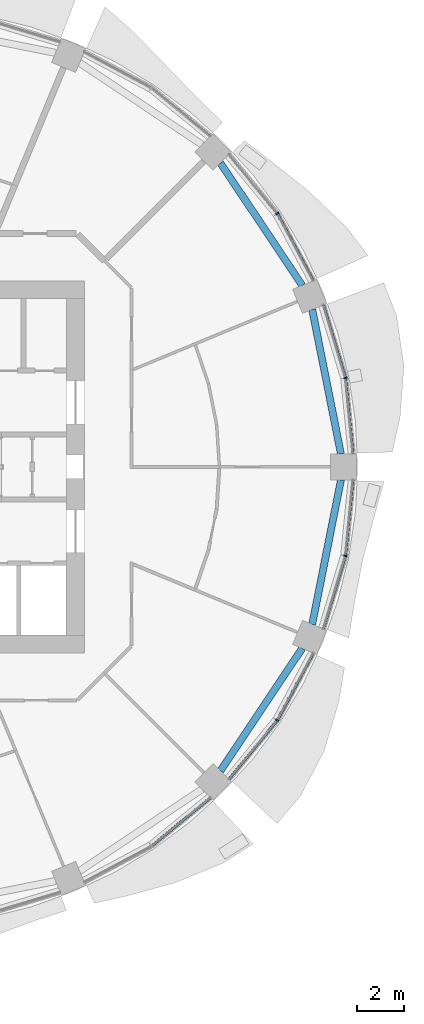
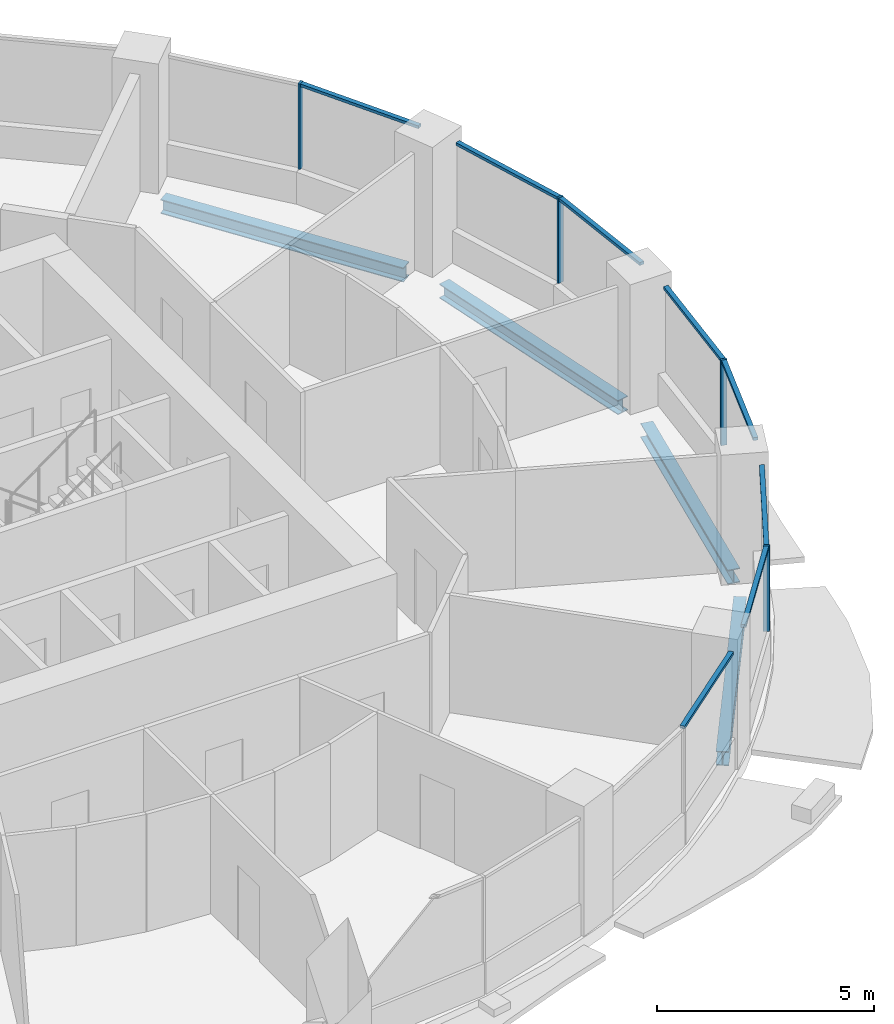
# One storey, part 5 of 15: 12 members, 4 beams, 5 elements without a shape of their own.
"""IFC4 building model written with IfcOpenShell, lengths in metres."""

from ifc_helpers import new_model, si_unit, direction, frame, origin, origin_2d, place, context, subcontext, project, spatial, rectangle, i_section, extrude, material, material_profile, profile_set, type_object, element, aggregate, save


model = new_model("IFC4")

# Units and contexts
model_context = context("Model", 3, precision=1e-05, world=origin(), true_north=direction((0.0, 1.0)))
body_context = subcontext(model_context, "Body", "Model", "MODEL_VIEW")
ifc_project = project(units=[si_unit("LENGTHUNIT", "METRE"), si_unit("AREAUNIT", "SQUARE_METRE"), si_unit("VOLUMEUNIT", "CUBIC_METRE"), si_unit("PLANEANGLEUNIT", "RADIAN"), si_unit("MASSUNIT", "GRAM", prefix="KILO")], contexts=[model_context])

# Site, building, storey
site_placement = place(None, origin())
site = spatial("IfcSite", under=ifc_project, at=site_placement, CompositionType="ELEMENT")
building_placement = place(site_placement, origin())
building = spatial("IfcBuilding", under=site, at=building_placement, Name="Polderwave Tower", CompositionType="ELEMENT")
storey_placement = place(building_placement, frame((0.0, 0.0, 80.050048828125)))
storey = spatial("IfcBuildingStorey", under=building, at=storey_placement, Name="L20", CompositionType="ELEMENT", Elevation=80.050048828125)

# Curtain wall, member
ifc_material_1 = material(Name="Aluminium 6063-T6 and glass", Category="aluminium")
curtain_wall_type = type_object("IfcCurtainWallType", Name="Growing floor ribbon glazing wall", PredefinedType="NOTDEFINED", material=ifc_material_1)
curtain_wall_1_placement = place(storey_placement, origin())
curtain_wall_1 = element("IfcCurtainWall", 1, at=curtain_wall_1_placement, inside=storey, type_object=curtain_wall_type, Name="CW2 L20 00", PredefinedType="NOTDEFINED")
ifc_material_2 = material(Name="Aluminium 6063-T6", Category="aluminium")
ifc_material_profile_1 = material_profile(ifc_material_2, rectangle(XDim=0.14990234375, YDim=0.06005859375, at=origin_2d()), Name="AL 60x150")
ifc_profile_set_1 = profile_set([ifc_material_profile_1], Name="Aluminium 6063-T6")
member_type_1 = type_object("IfcMemberType", Name="Growing floor ribbon glazing mullion 60x150", PredefinedType="MULLION", material=ifc_profile_set_1)
member_1_placement = place(storey_placement, frame((18.9189453125, 3.762939453125, 0.89990234375), z_axis=(0.0, 0.0, 1.0), x_axis=(-0.980778810424, -0.19512284598, 0.0)))
member_1 = element("IfcMember", 2, at=member_1_placement, type_object=member_type_1, Name="CW2 mullion 1", PredefinedType="MULLION", context=body_context, shape_type="SweptSolid", body=[
    extrude(rectangle(XDim=0.14990234375, YDim=0.06005859375, at=origin_2d()), origin(), (0.0, 0.0, 1.0), 2.400146484375),
])

curtain_wall_2_placement = place(storey_placement, origin())
curtain_wall_2 = element("IfcCurtainWall", 3, at=curtain_wall_2_placement, inside=storey, type_object=curtain_wall_type, Name="CW2 L20 01", PredefinedType="NOTDEFINED")
member_2_placement = place(storey_placement, frame((16.0390625, 10.717041015625, 0.89990234375), z_axis=(0.0, 0.0, 1.0), x_axis=(-0.831519061311, -0.555496220219, 0.0)))
member_2 = element("IfcMember", 4, at=member_2_placement, type_object=member_type_1, Name="CW2 mullion 1", PredefinedType="MULLION", context=body_context, shape_type="SweptSolid", body=[
    extrude(rectangle(XDim=0.14990234375, YDim=0.06005859375, at=origin_2d()), origin(), (0.0, 0.0, 1.0), 2.400146484375),
])

curtain_wall_3_placement = place(storey_placement, origin())
curtain_wall_3 = element("IfcCurtainWall", 5, at=curtain_wall_3_placement, inside=storey, type_object=curtain_wall_type, Name="CW2 L20 14", PredefinedType="NOTDEFINED")
member_3_placement = place(storey_placement, frame((16.0390625, -10.717041015625, 0.89990234375), z_axis=(0.0, 0.0, 1.0), x_axis=(-0.831519061311, 0.555496220219, 0.0)))
member_3 = element("IfcMember", 6, at=member_3_placement, type_object=member_type_1, Name="CW2 mullion 1", PredefinedType="MULLION", context=body_context, shape_type="SweptSolid", body=[
    extrude(rectangle(XDim=0.14990234375, YDim=0.06005859375, at=origin_2d()), origin(), (0.0, 0.0, 1.0), 2.400146484375),
])

curtain_wall_4_placement = place(storey_placement, origin())
curtain_wall_4 = element("IfcCurtainWall", 7, at=curtain_wall_4_placement, inside=storey, type_object=curtain_wall_type, Name="CW2 L20 15", PredefinedType="NOTDEFINED")
member_4_placement = place(storey_placement, frame((18.9189453125, -3.762939453125, 0.89990234375), z_axis=(0.0, 0.0, 1.0), x_axis=(-0.980778810424, 0.19512284598, 0.0)))
member_4 = element("IfcMember", 8, at=member_4_placement, type_object=member_type_1, Name="CW2 mullion 1", PredefinedType="MULLION", context=body_context, shape_type="SweptSolid", body=[
    extrude(rectangle(XDim=0.14990234375, YDim=0.06005859375, at=origin_2d()), origin(), (0.0, 0.0, 1.0), 2.400146484375),
])

# Member
ifc_material_profile_2 = material_profile(ifc_material_2, rectangle(XDim=0.1201171875, YDim=0.080078125, at=origin_2d()), Name="AL 80x120")
ifc_profile_set_2 = profile_set([ifc_material_profile_2], Name="Aluminium 6063-T6")
member_type_2 = type_object("IfcMemberType", Name="Growing floor ribbon glazing transom 80x120", PredefinedType="USERDEFINED", material=ifc_profile_set_2)
member_5_placement = place(storey_placement, frame((19.236083984375, 0.550048828125, 3.260009765625), z_axis=(-0.098234025198, 0.995163341514, 0.0), x_axis=(-0.995163341514, -0.098234025198, 0.0)))
member_5 = element("IfcMember", 9, at=member_5_placement, type_object=member_type_2, Name="CW2 transom 1", ObjectType="TRANSOM", PredefinedType="USERDEFINED", context=body_context, shape_type="SweptSolid", body=[
    extrude(rectangle(XDim=0.1201171875, YDim=0.080078125, at=origin_2d()), origin(), (0.0, 0.0, 1.0), 3.198486328125),
])

member_6_placement = place(storey_placement, frame((18.910400390625, 3.791748046875, 3.260009765625), z_axis=(-0.290238267171, 0.956954412848, 0.0), x_axis=(-0.956954412848, -0.290238267171, 0.0)))
member_6 = element("IfcMember", 10, at=member_6_placement, type_object=member_type_2, Name="CW2 transom 2", ObjectType="TRANSOM", PredefinedType="USERDEFINED", context=body_context, shape_type="SweptSolid", body=[
    extrude(rectangle(XDim=0.1201171875, YDim=0.080078125, at=origin_2d()), origin(), (0.0, 0.0, 1.0), 3.198974609375),
])

aggregate(curtain_wall_1, [member_1, member_5, member_6])

member_7_placement = place(storey_placement, frame((17.56103515625, 7.868896484375, 3.260009765625), z_axis=(-0.471376247819, 0.881932215645, 0.0), x_axis=(-0.881932215645, -0.471376247819, 0.0)))
member_7 = element("IfcMember", 11, at=member_7_placement, type_object=member_type_2, Name="CW2 transom 1", ObjectType="TRANSOM", PredefinedType="USERDEFINED", context=body_context, shape_type="SweptSolid", body=[
    extrude(rectangle(XDim=0.1201171875, YDim=0.080078125, at=origin_2d()), origin(), (0.0, 0.0, 1.0), 3.19921875),
])

aggregate(curtain_wall_2, [member_2, member_7])

# Curtain wall, member
curtain_wall_5_placement = place(storey_placement, origin())
curtain_wall_5 = element("IfcCurtainWall", 12, at=curtain_wall_5_placement, inside=storey, type_object=curtain_wall_type, Name="CW2 L20 13", PredefinedType="NOTDEFINED")
member_8_placement = place(storey_placement, frame((10.740234375, -16.02001953125, 3.260009765625), z_axis=(0.773041698987, 0.634355209348, 0.0), x_axis=(-0.634355209348, 0.773041698987, 0.0)))
member_8 = element("IfcMember", 13, at=member_8_placement, type_object=member_type_2, Name="CW2 transom 2", ObjectType="TRANSOM", PredefinedType="USERDEFINED", context=body_context, shape_type="SweptSolid", body=[
    extrude(rectangle(XDim=0.1201171875, YDim=0.080078125, at=origin_2d()), origin(), (0.0, 0.0, 1.0), 3.198486328125),
])
aggregate(curtain_wall_5, [member_8])

# Member
member_9_placement = place(storey_placement, frame((13.990966796875, -13.212890625, 3.260009765625), z_axis=(0.634355209348, 0.773041698987, 0.0), x_axis=(-0.773041698987, 0.634355209348, 0.0)))
member_9 = element("IfcMember", 14, at=member_9_placement, type_object=member_type_2, Name="CW2 transom 1", ObjectType="TRANSOM", PredefinedType="USERDEFINED", context=body_context, shape_type="SweptSolid", body=[
    extrude(rectangle(XDim=0.1201171875, YDim=0.080078125, at=origin_2d()), origin(), (0.0, 0.0, 1.0), 3.198486328125),
])

member_10_placement = place(storey_placement, frame((16.052978515625, -10.6904296875, 3.260009765625), z_axis=(0.471376247819, 0.881932215645, 0.0), x_axis=(-0.881932215645, 0.471376247819, 0.0)))
member_10 = element("IfcMember", 15, at=member_10_placement, type_object=member_type_2, Name="CW2 transom 2", ObjectType="TRANSOM", PredefinedType="USERDEFINED", context=body_context, shape_type="SweptSolid", body=[
    extrude(rectangle(XDim=0.1201171875, YDim=0.080078125, at=origin_2d()), origin(), (0.0, 0.0, 1.0), 3.19921875),
])

aggregate(curtain_wall_3, [member_3, member_9, member_10])

member_11_placement = place(storey_placement, frame((17.98193359375, -6.85302734375, 3.260009765625), z_axis=(0.290238267171, 0.956954412848, 0.0), x_axis=(-0.956954412848, 0.290238267171, 0.0)))
member_11 = element("IfcMember", 16, at=member_11_placement, type_object=member_type_2, Name="CW2 transom 1", ObjectType="TRANSOM", PredefinedType="USERDEFINED", context=body_context, shape_type="SweptSolid", body=[
    extrude(rectangle(XDim=0.1201171875, YDim=0.080078125, at=origin_2d()), origin(), (0.0, 0.0, 1.0), 3.198974609375),
])

member_12_placement = place(storey_placement, frame((18.921875, -3.733154296875, 3.260009765625), z_axis=(0.098234025198, 0.995163341514, 0.0), x_axis=(-0.995163341514, 0.098234025198, 0.0)))
member_12 = element("IfcMember", 17, at=member_12_placement, type_object=member_type_2, Name="CW2 transom 2", ObjectType="TRANSOM", PredefinedType="USERDEFINED", context=body_context, shape_type="SweptSolid", body=[
    extrude(rectangle(XDim=0.1201171875, YDim=0.080078125, at=origin_2d()), origin(), (0.0, 0.0, 1.0), 3.198486328125),
])

aggregate(curtain_wall_4, [member_4, member_11, member_12])

# Beams
ifc_material_3 = material(Name="Steel S355", Category="steel")
ifc_material_profile_3 = material_profile(ifc_material_3, i_section(OverallWidth=0.300048828125, OverallDepth=0.39990234375, WebThickness=0.013427734375, FlangeThickness=0.02392578125, at=origin_2d()), Name="HE 400 B")
ifc_profile_set_3 = profile_set([ifc_material_profile_3], Name="Steel S355")
beam_type = type_object("IfcBeamType", Name="RING BEAM HE 400 B", PredefinedType="BEAM", material=ifc_profile_set_3)
beam_1_placement = place(storey_placement, frame((18.730712890625, 0.550048828125, -0.550048828125), z_axis=(-0.195098540955, 0.980783645519, 0.0), x_axis=(-0.980783645519, -0.195098540955, 0.0)))
element("IfcBeam", 18, at=beam_1_placement, inside=storey, type_object=beam_type, Name="ST-RB-L20-00", PredefinedType="BEAM", context=body_context, shape_type="SweptSolid", body=[
    extrude(i_section(OverallWidth=0.300048828125, OverallDepth=0.39990234375, WebThickness=0.013427734375, FlangeThickness=0.02392578125, at=origin_2d()), origin(), (0.0, 0.0, 1.0), 6.229248046875),
])
for number, where, z_axis, x_axis, name in (
    (19, (17.09423828125, 7.676025390625, -0.550048828125), (-0.555541024975, 0.831489127752, 0.0), (-0.831489127752, -0.555541024975, 0.0), "ST-RB-L20-01"),
    (20, (13.633544921875, -12.855712890625, -0.550048828125), (0.555541024975, 0.831489127752, 0.0), (-0.831489127752, 0.555541024975, 0.0), "ST-RB-L20-14"),
):
    element("IfcBeam", number, at=place(storey_placement, frame(where, z_axis=z_axis, x_axis=x_axis)), inside=storey, type_object=beam_type, Name=name, PredefinedType="BEAM", context=body_context, shape_type="SweptSolid", body=[
        extrude(i_section(OverallWidth=0.300048828125, OverallDepth=0.39990234375, WebThickness=0.013427734375, FlangeThickness=0.02392578125, at=origin_2d()), origin(), (0.0, 0.0, 1.0), 6.2294921875),
    ])
beam_2_placement = place(storey_placement, frame((17.515380859375, -6.65966796875, -0.550048828125), z_axis=(0.195098540955, 0.980783645519, 0.0), x_axis=(-0.980783645519, 0.195098540955, 0.0)))
element("IfcBeam", 21, at=beam_2_placement, inside=storey, type_object=beam_type, Name="ST-RB-L20-15", PredefinedType="BEAM", context=body_context, shape_type="SweptSolid", body=[
    extrude(i_section(OverallWidth=0.300048828125, OverallDepth=0.39990234375, WebThickness=0.013427734375, FlangeThickness=0.02392578125, at=origin_2d()), origin(), (0.0, 0.0, 1.0), 6.229248046875),
])

save(model, "model.ifc")
